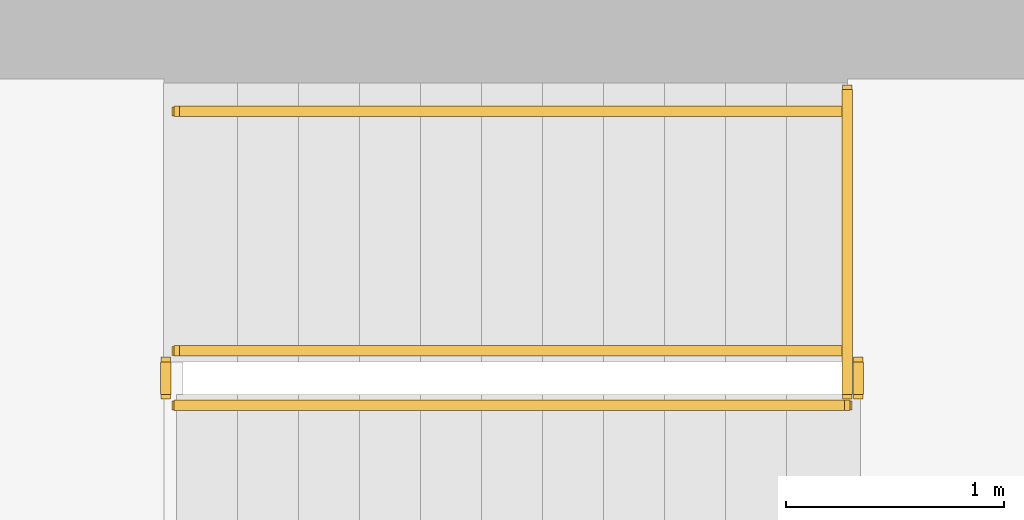
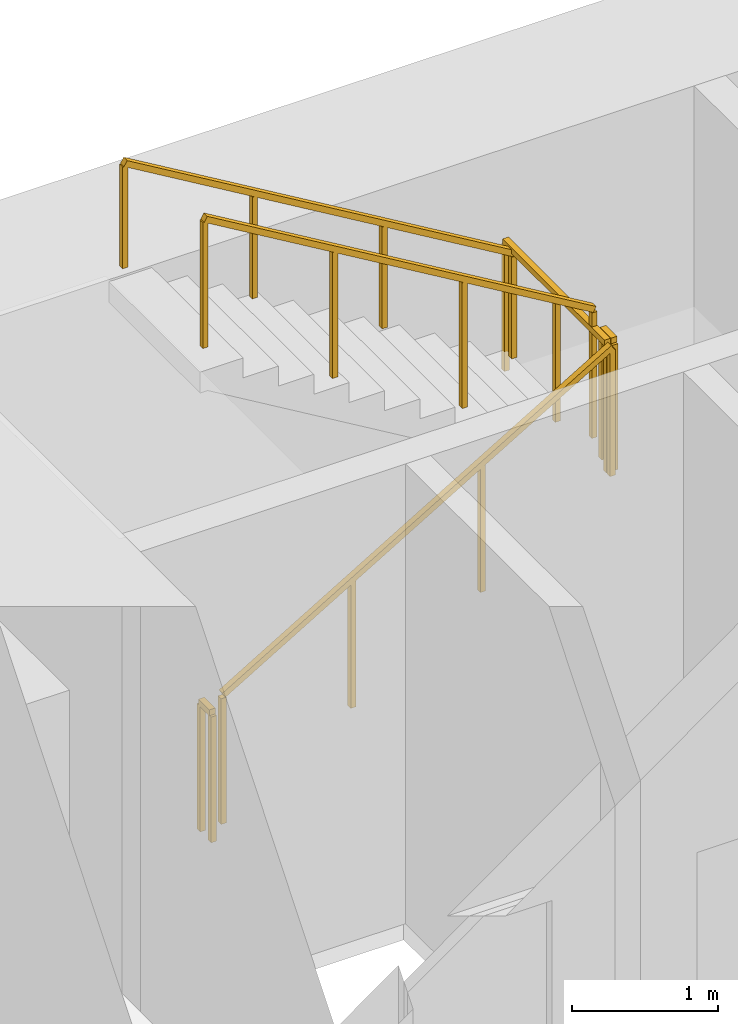
# One storey, part 15 of 16: 6 railings.
"""IFC4 building model written with IfcOpenShell, lengths in metres."""

from ifc_helpers import new_model, si_unit, direction, frame, origin, origin_2d, place, context, subcontext, project, spatial, rectangle, extrude, material, type_object, element, save


model = new_model("IFC4")

# Units and contexts
model_context = context("Model", 3, precision=1e-05, world=origin(), true_north=direction((0.0, 1.0)))
body_context = subcontext(model_context, "Body", "Model", "MODEL_VIEW")
ifc_project = project(units=[si_unit("LENGTHUNIT", "METRE"), si_unit("AREAUNIT", "SQUARE_METRE"), si_unit("VOLUMEUNIT", "CUBIC_METRE"), si_unit("PLANEANGLEUNIT", "RADIAN"), si_unit("MASSUNIT", "GRAM", prefix="KILO")], contexts=[model_context])

# Site, building, storey
site_placement = place(None, origin())
site = spatial("IfcSite", under=ifc_project, at=site_placement, CompositionType="ELEMENT")
building_placement = place(site_placement, origin())
building = spatial("IfcBuilding", under=site, at=building_placement, Name="Sennacour Bend Tower", CompositionType="ELEMENT")
storey_placement = place(building_placement, frame((0.0, 0.0, 111.0)))
storey = spatial("IfcBuildingStorey", under=building, at=storey_placement, Name="L25", CompositionType="ELEMENT", Elevation=111.0)

# Railings
ifc_material = material(Name="Stainless steel", Category="steel")
railing_type_1 = type_object("IfcRailingType", Name="RL-GUARD-1100", PredefinedType="GUARDRAIL", material=ifc_material)
railing_1_placement = place(storey_placement, frame((56.699951171875, 19.85009765625, 0.166748046875)))
element("IfcRailing", 1, at=railing_1_placement, inside=storey, type_object=railing_type_1, Name="L25 SA2 stair guard 1", PredefinedType="GUARDRAIL", context=body_context, shape_type="SweptSolid", body=[
    extrude(rectangle(XDim=0.048095703125, YDim=0.048095703125, at=origin_2d()), frame((0.0, 0.0, 1.076171875), z_axis=(0.859308565015, 0.0, 0.511457515432), x_axis=(0.0, 1.0, 0.0)), (0.0, 0.0, 1.0), 3.58447265625),
    extrude(rectangle(XDim=0.0419921875, YDim=0.0419921875, at=origin_2d()), origin(), (0.0, 0.0, 1.0), 1.052001953125),
    extrude(rectangle(XDim=0.0419921875, YDim=0.0419921875, at=origin_2d()), frame((1.026611328125, 0.0, 0.611083984375)), (0.0, 0.0, 1.0), 1.052001953125),
    extrude(rectangle(XDim=0.0419921875, YDim=0.0419921875, at=origin_2d()), frame((2.053466796875, 0.0, 1.22216796875)), (0.0, 0.0, 1.0), 1.052001953125),
    extrude(rectangle(XDim=0.0419921875, YDim=0.0419921875, at=origin_2d()), frame((3.080078125, 0.0, 1.833251953125)), (0.0, 0.0, 1.0), 1.052001953125),
])
railing_2_placement = place(storey_placement, frame((59.830078125, 19.89990234375, 2.0)))
element("IfcRailing", 2, at=railing_2_placement, inside=storey, type_object=railing_type_1, Name="L25 SA2 stair guard 2", PredefinedType="GUARDRAIL", context=body_context, shape_type="SweptSolid", body=[
    extrude(rectangle(XDim=0.048095703125, YDim=0.048095703125, at=origin_2d()), frame((0.0, 0.0, 1.076171875), z_axis=(0.0, 1.0, 0.0), x_axis=(-1.0, 0.0, 0.0)), (0.0, 0.0, 1.0), 0.150146484375),
    extrude(rectangle(XDim=0.0419921875, YDim=0.0419921875, at=origin_2d()), origin(), (0.0, 0.0, 1.0), 1.052001953125),
    extrude(rectangle(XDim=0.0419921875, YDim=0.0419921875, at=origin_2d()), frame((0.0, 0.150146484375, 0.0)), (0.0, 0.0, 1.0), 1.052001953125),
])
railing_3_placement = place(storey_placement, frame((59.780029296875, 20.10009765625, 2.166748046875)))
element("IfcRailing", 3, at=railing_3_placement, inside=storey, type_object=railing_type_1, Name="L25 SA2 stair guard 4", PredefinedType="GUARDRAIL", context=body_context, shape_type="SweptSolid", body=[
    extrude(rectangle(XDim=0.048095703125, YDim=0.048095703125, at=origin_2d()), frame((0.0, 0.0, 1.076171875), z_axis=(-0.859308565015, 0.0, 0.511457515432), x_axis=(0.0, -1.0, 0.0)), (0.0, 0.0, 1.0), 3.58447265625),
    extrude(rectangle(XDim=0.0419921875, YDim=0.0419921875, at=origin_2d()), origin(), (0.0, 0.0, 1.0), 1.052001953125),
    extrude(rectangle(XDim=0.0419921875, YDim=0.0419921875, at=origin_2d()), frame((-1.026611328125, 0.0, 0.611083984375)), (0.0, 0.0, 1.0), 1.052001953125),
    extrude(rectangle(XDim=0.0419921875, YDim=0.0419921875, at=origin_2d()), frame((-2.053466796875, 0.0, 1.22216796875)), (0.0, 0.0, 1.0), 1.052001953125),
    extrude(rectangle(XDim=0.0419921875, YDim=0.0419921875, at=origin_2d()), frame((-3.080078125, 0.0, 1.833251953125)), (0.0, 0.0, 1.0), 1.052001953125),
])
railing_4_placement = place(storey_placement, frame((56.64990234375, 19.89990234375, 0.0)))
element("IfcRailing", 4, at=railing_4_placement, inside=storey, type_object=railing_type_1, Name="L25 SA2 stair guard 5", PredefinedType="GUARDRAIL", context=body_context, shape_type="SweptSolid", body=[
    extrude(rectangle(XDim=0.048095703125, YDim=0.048095703125, at=origin_2d()), frame((0.0, 0.0, 1.076171875), z_axis=(0.0, 1.0, 0.0), x_axis=(-1.0, 0.0, 0.0)), (0.0, 0.0, 1.0), 0.150146484375),
    extrude(rectangle(XDim=0.0419921875, YDim=0.0419921875, at=origin_2d()), origin(), (0.0, 0.0, 1.0), 1.052001953125),
    extrude(rectangle(XDim=0.0419921875, YDim=0.0419921875, at=origin_2d()), frame((0.0, 0.150146484375, 0.0)), (0.0, 0.0, 1.0), 1.052001953125),
])
railing_5_placement = place(storey_placement, frame((59.780029296875, 19.89990234375, 2.0)))
element("IfcRailing", 5, at=railing_5_placement, inside=storey, type_object=railing_type_1, Name="L25 SA2 landing edge guard 38", PredefinedType="GUARDRAIL", context=body_context, shape_type="SweptSolid", body=[
    extrude(rectangle(XDim=0.048095703125, YDim=0.048095703125, at=origin_2d()), frame((0.0, 0.0, 1.076171875), z_axis=(0.0, 1.0, 0.0), x_axis=(-1.0, 0.0, 0.0)), (0.0, 0.0, 1.0), 1.400146484375),
    extrude(rectangle(XDim=0.0419921875, YDim=0.0419921875, at=origin_2d()), origin(), (0.0, 0.0, 1.0), 1.052001953125),
    extrude(rectangle(XDim=0.0419921875, YDim=0.0419921875, at=origin_2d()), frame((0.0, 0.7001953125, 0.0)), (0.0, 0.0, 1.0), 1.052001953125),
    extrude(rectangle(XDim=0.0419921875, YDim=0.0419921875, at=origin_2d()), frame((0.0, 1.400146484375, 0.0)), (0.0, 0.0, 1.0), 1.052001953125),
])
railing_type_2 = type_object("IfcRailingType", Name="RL-HANDRAIL-900", PredefinedType="HANDRAIL", material=ifc_material)
railing_6_placement = place(storey_placement, frame((59.780029296875, 21.199951171875, 2.166748046875)))
element("IfcRailing", 6, at=railing_6_placement, inside=storey, type_object=railing_type_2, Name="L25 SA2 stair handrail 2", PredefinedType="HANDRAIL", context=body_context, shape_type="SweptSolid", body=[
    extrude(rectangle(XDim=0.048095703125, YDim=0.048095703125, at=origin_2d()), frame((0.0, 0.0, 0.8759765625), z_axis=(-0.859308565015, 0.0, 0.511457515432), x_axis=(0.0, -1.0, 0.0)), (0.0, 0.0, 1.0), 3.58447265625),
    extrude(rectangle(XDim=0.0419921875, YDim=0.0419921875, at=origin_2d()), origin(), (0.0, 0.0, 1.0), 0.851806640625),
    extrude(rectangle(XDim=0.0419921875, YDim=0.0419921875, at=origin_2d()), frame((-1.026611328125, 0.0, 0.611083984375)), (0.0, 0.0, 1.0), 0.851806640625),
    extrude(rectangle(XDim=0.0419921875, YDim=0.0419921875, at=origin_2d()), frame((-2.053466796875, 0.0, 1.22216796875)), (0.0, 0.0, 1.0), 0.851806640625),
    extrude(rectangle(XDim=0.0419921875, YDim=0.0419921875, at=origin_2d()), frame((-3.080078125, 0.0, 1.833251953125)), (0.0, 0.0, 1.0), 0.851806640625),
])

save(model, "model.ifc")
